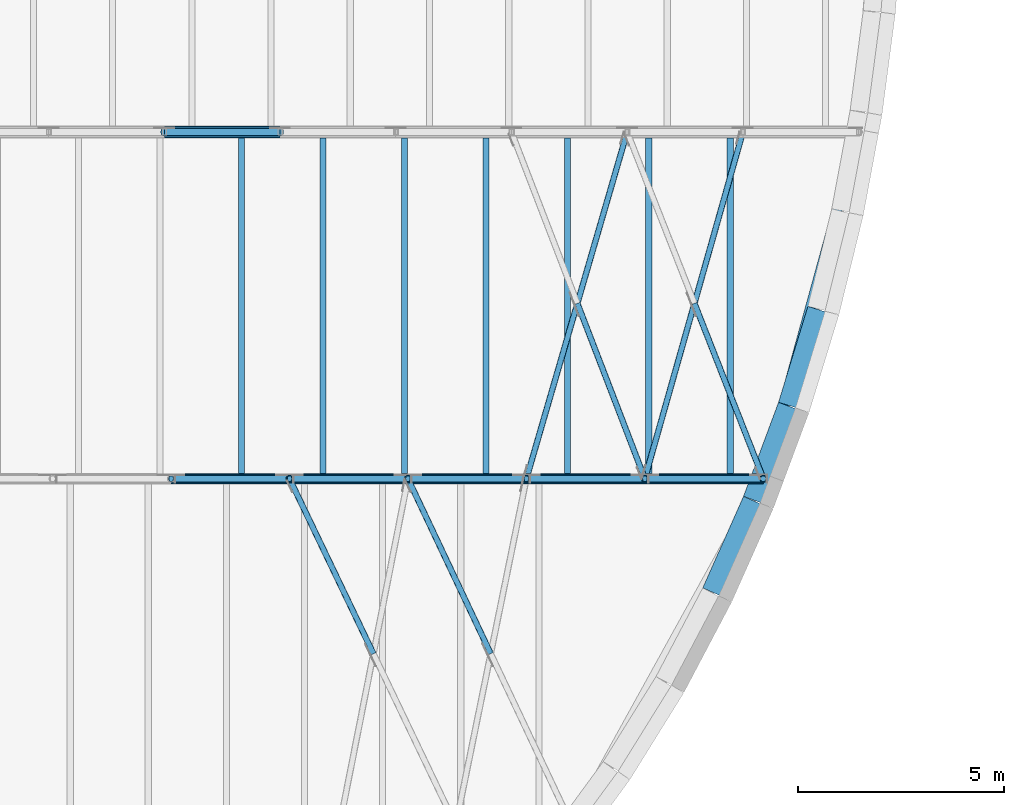
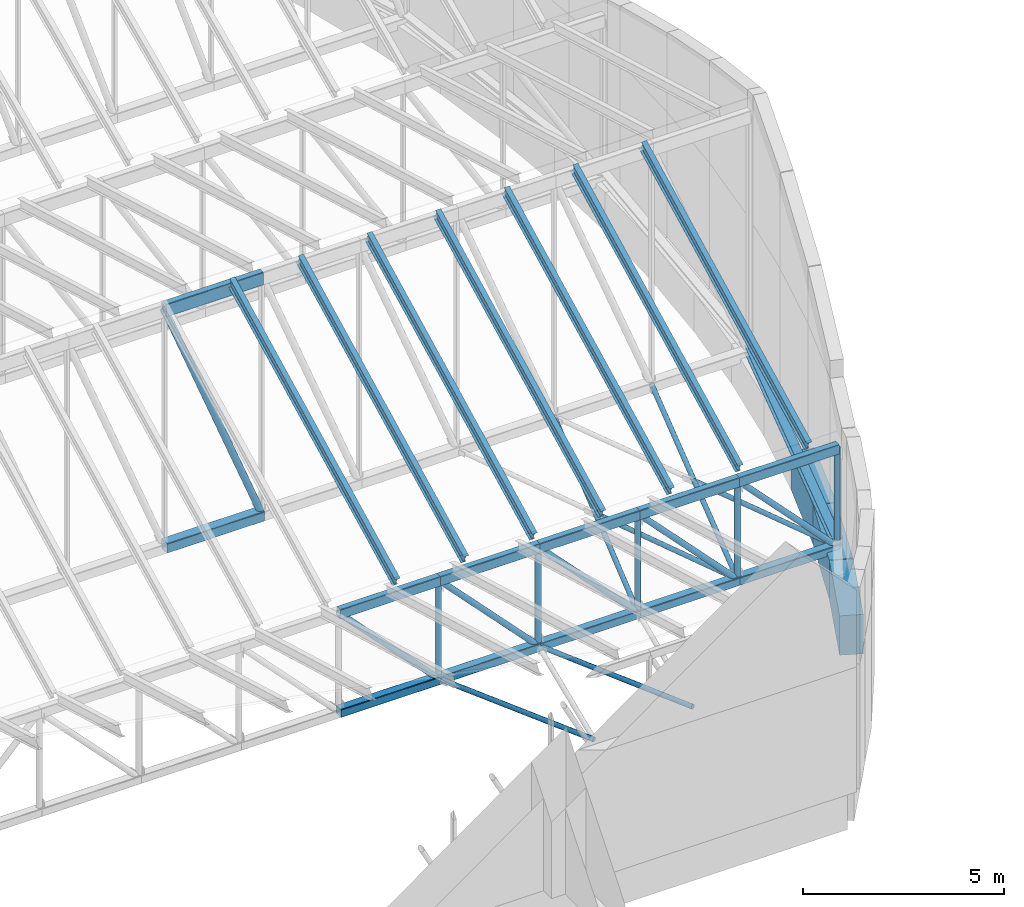
# One storey, part 23 of 68: 24 members, 16 beams.
"""IFC4 building model written with IfcOpenShell, lengths in metres."""

from ifc_helpers import new_model, si_unit, direction, frame, origin, origin_2d, place, context, subcontext, project, spatial, rectangle, hollow_rectangle, hollow_circle, i_section, extrude, material, material_profile, profile_set, type_object, element, save


model = new_model("IFC4")

# Units and contexts
model_context = context("Model", 3, precision=1e-05, world=origin(), true_north=direction((0.0, 1.0)))
body_context = subcontext(model_context, "Body", "Model", "MODEL_VIEW")
ifc_project = project(units=[si_unit("LENGTHUNIT", "METRE"), si_unit("AREAUNIT", "SQUARE_METRE"), si_unit("VOLUMEUNIT", "CUBIC_METRE"), si_unit("PLANEANGLEUNIT", "RADIAN"), si_unit("MASSUNIT", "GRAM", prefix="KILO")], contexts=[model_context])

# Site, building, storey
site_placement = place(None, origin())
site = spatial("IfcSite", under=ifc_project, at=site_placement, CompositionType="ELEMENT")
building_placement = place(site_placement, origin())
building = spatial("IfcBuilding", under=site, at=building_placement, Name="Larchfold Concert Hall", CompositionType="ELEMENT")
storey_placement = place(building_placement, frame((0.0, 0.0, 28.800048828125)))
storey = spatial("IfcBuildingStorey", under=building, at=storey_placement, Name="L06", CompositionType="ELEMENT", Elevation=28.800048828125)

# Beams
ifc_material_1 = material(Name="Concrete C40/50", Category="concrete")
ifc_material_profile_1 = material_profile(ifc_material_1, rectangle(XDim=0.60009765625, YDim=1.199951171875, at=origin_2d()))
ifc_profile_set_1 = profile_set([ifc_material_profile_1], Name="Concrete C40/50")
beam_type_1 = type_object("IfcBeamType", Name="Beam RC 600x1200", PredefinedType="BEAM", material=ifc_profile_set_1)
beam_1_placement = place(storey_placement, frame((62.932373046875, 65.630859375, -0.60009765625), z_axis=(0.406688504918, 0.913566888612, 0.0), x_axis=(-0.913566888612, 0.406688504918, 0.0)))
element("IfcBeam", 1, at=beam_1_placement, inside=storey, type_object=beam_type_1, Name="Beam RB54", PredefinedType="BEAM", context=body_context, shape_type="SweptSolid", body=[
    extrude(rectangle(XDim=0.60009765625, YDim=1.199951171875, at=origin_2d()), origin(), (0.0, 0.0, 1.0), 2.429443359375),
])
beam_2_placement = place(storey_placement, frame((63.927490234375, 67.86767578125, -0.60009765625), z_axis=(0.348821933881, 0.937189019592, 0.0), x_axis=(-0.937189019592, 0.348821933881, 0.0)))
element("IfcBeam", 2, at=beam_2_placement, inside=storey, type_object=beam_type_1, Name="Beam RB55", PredefinedType="BEAM", context=body_context, shape_type="SweptSolid", body=[
    extrude(rectangle(XDim=0.60009765625, YDim=1.199951171875, at=origin_2d()), origin(), (0.0, 0.0, 1.0), 2.4306640625),
])
beam_3_placement = place(storey_placement, frame((64.78125, 70.16259765625, -0.60009765625), z_axis=(0.292511903907, 0.956261881533, 0.0), x_axis=(-0.956261881533, 0.292511903907, 0.0)))
element("IfcBeam", 3, at=beam_3_placement, inside=storey, type_object=beam_type_1, Name="Beam RB56", PredefinedType="BEAM", context=body_context, shape_type="SweptSolid", body=[
    extrude(rectangle(XDim=0.60009765625, YDim=1.199951171875, at=origin_2d()), origin(), (0.0, 0.0, 1.0), 2.431396484375),
])

# Members
ifc_material_2 = material(Name="Steel S355J2H", Category="steel")
ifc_material_profile_2 = material_profile(ifc_material_2, hollow_circle(Radius=0.06982421875, WallThickness=0.00634765625, at=origin_2d()))
ifc_profile_set_2 = profile_set([ifc_material_profile_2], Name="Steel S355J2H")
member_type_1 = type_object("IfcMemberType", Name="Bracing CHS 139.7x6.3", PredefinedType="BRACE", material=ifc_profile_set_2)
member_1_placement = place(storey_placement, frame((57.5205078125, 64.158935546875, 0.0), z_axis=(-0.427432981442, 0.904047037701, 0.0), x_axis=(-0.904047037701, -0.427432981442, 0.0)))
element("IfcMember", 4, at=member_1_placement, inside=storey, type_object=member_type_1, Name="Member FB009", PredefinedType="BRACE", context=body_context, shape_type="SweptSolid", body=[
    extrude(hollow_circle(Radius=0.06982421875, WallThickness=0.00634765625, at=origin_2d()), origin(), (0.0, 0.0, 1.0), 4.691162109375),
])
member_2_placement = place(storey_placement, frame((54.678466796875, 64.158935546875, 0.0), z_axis=(-0.432263539696, 0.901747321731, 0.0), x_axis=(-0.901747321731, -0.432263539696, 0.0)))
element("IfcMember", 5, at=member_2_placement, inside=storey, type_object=member_type_1, Name="Member FB012", PredefinedType="BRACE", context=body_context, shape_type="SweptSolid", body=[
    extrude(hollow_circle(Radius=0.06982421875, WallThickness=0.00634765625, at=origin_2d()), origin(), (0.0, 0.0, 1.0), 4.703125),
])
member_3_placement = place(storey_placement, frame((61.255615234375, 68.39990234375, 0.0), z_axis=(0.272171503339, 0.962248758259, 0.0), x_axis=(-0.962248758259, 0.272171503339, 0.0)))
element("IfcMember", 6, at=member_3_placement, inside=storey, type_object=member_type_1, Name="Member FB019", PredefinedType="BRACE", context=body_context, shape_type="SweptSolid", body=[
    extrude(hollow_circle(Radius=0.06982421875, WallThickness=0.00634765625, at=origin_2d()), origin(), (0.0, 0.0, 1.0), 8.729736328125),
])
member_4_placement = place(storey_placement, frame((64.125732421875, 68.39990234375, 0.0), z_axis=(-0.365471989609, 0.930822337942, 0.0), x_axis=(-0.930822337942, -0.365471989609, 0.0)))
element("IfcMember", 7, at=member_4_placement, inside=storey, type_object=member_type_1, Name="Member FB020", PredefinedType="BRACE", context=body_context, shape_type="SweptSolid", body=[
    extrude(hollow_circle(Radius=0.06982421875, WallThickness=0.00634765625, at=origin_2d()), origin(), (0.0, 0.0, 1.0), 4.564453125),
])
member_5_placement = place(storey_placement, frame((58.385498046875, 68.39990234375, 0.0), z_axis=(0.279141465259, 0.96024998952, 0.0), x_axis=(-0.96024998952, 0.279141465259, 0.0)))
element("IfcMember", 8, at=member_5_placement, inside=storey, type_object=member_type_1, Name="Member FB022", PredefinedType="BRACE", context=body_context, shape_type="SweptSolid", body=[
    extrude(hollow_circle(Radius=0.06982421875, WallThickness=0.00634765625, at=origin_2d()), origin(), (0.0, 0.0, 1.0), 8.747802734375),
])
member_6_placement = place(storey_placement, frame((61.255615234375, 68.39990234375, 0.0), z_axis=(-0.359144379531, 0.93328201239, 0.0), x_axis=(-0.93328201239, -0.359144379531, 0.0)))
element("IfcMember", 9, at=member_6_placement, inside=storey, type_object=member_type_1, Name="Member FB023", PredefinedType="BRACE", context=body_context, shape_type="SweptSolid", body=[
    extrude(hollow_circle(Radius=0.06982421875, WallThickness=0.00634765625, at=origin_2d()), origin(), (0.0, 0.0, 1.0), 4.552490234375),
])
ifc_material_3 = material(Name="Steel S355", Category="steel")
ifc_material_profile_3 = material_profile(ifc_material_3, i_section(OverallWidth=0.14990234375, OverallDepth=0.300048828125, WebThickness=0.007080078125, FlangeThickness=0.0107421875, FilletRadius=0.014892578125, at=origin_2d()))
ifc_profile_set_3 = profile_set([ifc_material_profile_3], Name="Steel S355")
member_type_2 = type_object("IfcMemberType", Name="Rafter IPE 300", PredefinedType="RAFTER", material=ifc_profile_set_3)
for number, where, z_axis, x_axis, name in (
    (10, (51.482421875, 68.47998046875, 3.291748046875), (0.0, 0.892286189567, 0.451470215971), (-1.0, 0.0, 0.0), "Member RF0034"),
    (11, (53.456298828125, 68.47998046875, 3.291748046875), (0.0, 0.892286189567, 0.451470215971), (-1.0, 0.0, 0.0), "Member RF0035"),
    (12, (55.43017578125, 68.47998046875, 3.291748046875), (0.0, 0.892286189567, 0.451470215971), (-1.0, 0.0, 0.0), "Member RF0036"),
    (13, (57.404052734375, 68.47998046875, 3.291748046875), (0.0, 0.892286189567, 0.451470215971), (-1.0, 0.0, 0.0), "Member RF0037"),
    (14, (59.3779296875, 68.47998046875, 3.291748046875), (0.0, 0.892286189567, 0.451470215971), (-1.0, 0.0, 0.0), "Member RF0038"),
    (15, (61.351806640625, 68.47998046875, 3.291748046875), (0.0, 0.892286189567, 0.451470215971), (-1.0, 0.0, 0.0), "Member RF0039"),
    (16, (63.32568359375, 68.47998046875, 3.291748046875), (0.0, 0.892286189567, 0.451470215971), (-1.0, 0.0, 0.0), "Member RF0040"),
):
    element("IfcMember", number, at=place(storey_placement, frame(where, z_axis=z_axis, x_axis=x_axis)), inside=storey, type_object=member_type_2, Name=name, PredefinedType="RAFTER", context=body_context, shape_type="SweptSolid", body=[
        extrude(i_section(OverallWidth=0.14990234375, OverallDepth=0.300048828125, WebThickness=0.007080078125, FlangeThickness=0.0107421875, FilletRadius=0.014892578125, at=origin_2d()), origin(), (0.0, 0.0, 1.0), 9.234619140625),
    ])

# Beams
ifc_material_4 = material(Name="Steel S355", Category="steel")
ifc_material_profile_4 = material_profile(ifc_material_4, i_section(OverallWidth=0.239990234375, OverallDepth=0.22998046875, WebThickness=0.007568359375, FlangeThickness=0.011962890625, FilletRadius=0.02099609375, at=origin_2d()))
ifc_profile_set_4 = profile_set([ifc_material_profile_4], Name="Steel S355")
beam_type_2 = type_object("IfcBeamType", Name="Steel beam HEA 240", PredefinedType="BEAM", material=ifc_profile_set_4)
beam_4_placement = place(storey_placement, frame((64.125732421875, 68.39990234375, 0.114990234375), z_axis=(0.265158437013, 0.964204855454, 0.0), x_axis=(-0.964204855454, 0.265158437013, 0.0)))
element("IfcBeam", 17, at=beam_4_placement, inside=storey, type_object=beam_type_2, Name="Beam EM12", PredefinedType="BEAM", context=body_context, shape_type="SweptSolid", body=[
    extrude(i_section(OverallWidth=0.239990234375, OverallDepth=0.22998046875, WebThickness=0.007568359375, FlangeThickness=0.011962890625, FilletRadius=0.02099609375, at=origin_2d()), origin(), (0.0, 0.0, 1.0), 8.7119140625),
])
ifc_material_5 = material(Name="Steel S355J2H", Category="steel")
ifc_material_profile_5 = material_profile(ifc_material_5, hollow_rectangle(XDim=0.199951171875, YDim=0.300048828125, WallThickness=0.012451171875, InnerFilletRadius=0.018798828125, OuterFilletRadius=0.03125, at=origin_2d()))
ifc_profile_set_5 = profile_set([ifc_material_profile_5], Name="Steel S355J2H")
beam_type_3 = type_object("IfcBeamType", Name="Truss chord RHS 300x200x12.5", PredefinedType="BEAM", material=ifc_profile_set_5)
beam_5_placement = place(storey_placement, frame((49.775390625, 68.39990234375, 3.0), z_axis=(1.0, 0.0, 0.0), x_axis=(0.0, 1.0, 0.0)))
element("IfcBeam", 18, at=beam_5_placement, inside=storey, type_object=beam_type_3, Name="Beam FT2T11", PredefinedType="BEAM", context=body_context, shape_type="SweptSolid", body=[
    extrude(hollow_rectangle(XDim=0.199951171875, YDim=0.300048828125, WallThickness=0.012451171875, InnerFilletRadius=0.018798828125, OuterFilletRadius=0.03125, at=origin_2d()), origin(), (0.0, 0.0, 1.0), 2.8701171875),
])
beam_6_placement = place(storey_placement, frame((52.6455078125, 68.39990234375, 3.0), z_axis=(1.0, 0.0, 0.0), x_axis=(0.0, 1.0, 0.0)))
element("IfcBeam", 19, at=beam_6_placement, inside=storey, type_object=beam_type_3, Name="Beam FT2T12", PredefinedType="BEAM", context=body_context, shape_type="SweptSolid", body=[
    extrude(hollow_rectangle(XDim=0.199951171875, YDim=0.300048828125, WallThickness=0.012451171875, InnerFilletRadius=0.018798828125, OuterFilletRadius=0.03125, at=origin_2d()), origin(), (0.0, 0.0, 1.0), 2.869873046875),
])
for number, where, z_axis, x_axis, name in (
    (20, (55.515380859375, 68.39990234375, 3.0), (1.0, 0.0, 0.0), (0.0, 1.0, 0.0), "Beam FT2T13"),
    (21, (58.385498046875, 68.39990234375, 3.0), (1.0, 0.0, 0.0), (0.0, 1.0, 0.0), "Beam FT2T14"),
    (22, (61.255615234375, 68.39990234375, 3.0), (1.0, 0.0, 0.0), (0.0, 1.0, 0.0), "Beam FT2T15"),
):
    element("IfcBeam", number, at=place(storey_placement, frame(where, z_axis=z_axis, x_axis=x_axis)), inside=storey, type_object=beam_type_3, Name=name, PredefinedType="BEAM", context=body_context, shape_type="SweptSolid", body=[
        extrude(hollow_rectangle(XDim=0.199951171875, YDim=0.300048828125, WallThickness=0.012451171875, InnerFilletRadius=0.018798828125, OuterFilletRadius=0.03125, at=origin_2d()), origin(), (0.0, 0.0, 1.0), 2.8701171875),
    ])
ifc_material_6 = material(Name="Steel S355J2H", Category="steel")
ifc_material_profile_6 = material_profile(ifc_material_6, hollow_rectangle(XDim=0.199951171875, YDim=0.39990234375, WallThickness=0.012451171875, InnerFilletRadius=0.018798828125, OuterFilletRadius=0.03125, at=origin_2d()))
ifc_profile_set_6 = profile_set([ifc_material_profile_6], Name="Steel S355J2H")
beam_type_4 = type_object("IfcBeamType", Name="Truss chord RHS 400x200x12.5", PredefinedType="BEAM", material=ifc_profile_set_6)
beam_7_placement = place(storey_placement, frame((49.610595703125, 76.800048828125, 7.199951171875), z_axis=(1.0, 0.0, 0.0), x_axis=(0.0, 1.0, 0.0)))
element("IfcBeam", 23, at=beam_7_placement, inside=storey, type_object=beam_type_4, Name="Beam FT3T12", PredefinedType="BEAM", context=body_context, shape_type="SweptSolid", body=[
    extrude(hollow_rectangle(XDim=0.199951171875, YDim=0.39990234375, WallThickness=0.012451171875, InnerFilletRadius=0.018798828125, OuterFilletRadius=0.03125, at=origin_2d()), origin(), (0.0, 0.0, 1.0), 2.80419921875),
])

# Members
ifc_material_7 = material(Name="Steel S355J2H", Category="steel")
ifc_material_profile_7 = material_profile(ifc_material_7, hollow_circle(Radius=0.084228515625, WallThickness=0.008056640625, at=origin_2d()))
ifc_profile_set_7 = profile_set([ifc_material_profile_7], Name="Steel S355J2H")
member_type_3 = type_object("IfcMemberType", Name="Truss post CHS 168.3x8", PredefinedType="POST", material=ifc_profile_set_7)
for number, where, z_axis, x_axis, name in (
    (24, (52.6455078125, 68.39990234375, 3.0), (0.0, 0.0, -1.0), (1.0, 0.0, 0.0), "Member FT2V12"),
    (25, (55.515380859375, 68.39990234375, 3.0), (0.0, 0.0, -1.0), (1.0, 0.0, 0.0), "Member FT2V13"),
    (26, (58.385498046875, 68.39990234375, 3.0), (0.0, 0.0, -1.0), (1.0, 0.0, 0.0), "Member FT2V14"),
    (27, (61.255615234375, 68.39990234375, 3.0), (0.0, 0.0, -1.0), (1.0, 0.0, 0.0), "Member FT2V15"),
    (28, (64.125732421875, 68.39990234375, 3.0), (0.0, 0.0, -1.0), (1.0, 0.0, 0.0), "Member FT2V16"),
):
    element("IfcMember", number, at=place(storey_placement, frame(where, z_axis=z_axis, x_axis=x_axis)), inside=storey, type_object=member_type_3, Name=name, PredefinedType="POST", context=body_context, shape_type="SweptSolid", body=[
        extrude(hollow_circle(Radius=0.084228515625, WallThickness=0.008056640625, at=origin_2d()), origin(), (0.0, 0.0, 1.0), 3.0),
    ])

# Beams
ifc_material_8 = material(Name="Steel S355J2H", Category="steel")
ifc_material_profile_8 = material_profile(ifc_material_8, hollow_rectangle(XDim=0.25, YDim=0.25, WallThickness=0.012451171875, InnerFilletRadius=0.018798828125, OuterFilletRadius=0.03125, at=origin_2d()))
ifc_profile_set_8 = profile_set([ifc_material_profile_8], Name="Steel S355J2H")
beam_type_5 = type_object("IfcBeamType", Name="Truss tie SHS 250x250x12.5", PredefinedType="BEAM", material=ifc_profile_set_8)
beam_8_placement = place(storey_placement, frame((49.775390625, 68.39990234375, 0.0), z_axis=(1.0, 0.0, 0.0), x_axis=(0.0, 1.0, 0.0)))
element("IfcBeam", 29, at=beam_8_placement, inside=storey, type_object=beam_type_5, Name="Beam FT2B11", PredefinedType="BEAM", context=body_context, shape_type="SweptSolid", body=[
    extrude(hollow_rectangle(XDim=0.25, YDim=0.25, WallThickness=0.012451171875, InnerFilletRadius=0.018798828125, OuterFilletRadius=0.03125, at=origin_2d()), origin(), (0.0, 0.0, 1.0), 2.8701171875),
])
beam_9_placement = place(storey_placement, frame((52.6455078125, 68.39990234375, 0.0), z_axis=(1.0, 0.0, 0.0), x_axis=(0.0, 1.0, 0.0)))
element("IfcBeam", 30, at=beam_9_placement, inside=storey, type_object=beam_type_5, Name="Beam FT2B12", PredefinedType="BEAM", context=body_context, shape_type="SweptSolid", body=[
    extrude(hollow_rectangle(XDim=0.25, YDim=0.25, WallThickness=0.012451171875, InnerFilletRadius=0.018798828125, OuterFilletRadius=0.03125, at=origin_2d()), origin(), (0.0, 0.0, 1.0), 2.869873046875),
])
for number, where, z_axis, x_axis, name in (
    (31, (55.515380859375, 68.39990234375, 0.0), (1.0, 0.0, 0.0), (0.0, 1.0, 0.0), "Beam FT2B13"),
    (32, (58.385498046875, 68.39990234375, 0.0), (1.0, 0.0, 0.0), (0.0, 1.0, 0.0), "Beam FT2B14"),
    (33, (61.255615234375, 68.39990234375, 0.0), (1.0, 0.0, 0.0), (0.0, 1.0, 0.0), "Beam FT2B15"),
):
    element("IfcBeam", number, at=place(storey_placement, frame(where, z_axis=z_axis, x_axis=x_axis)), inside=storey, type_object=beam_type_5, Name=name, PredefinedType="BEAM", context=body_context, shape_type="SweptSolid", body=[
        extrude(hollow_rectangle(XDim=0.25, YDim=0.25, WallThickness=0.012451171875, InnerFilletRadius=0.018798828125, OuterFilletRadius=0.03125, at=origin_2d()), origin(), (0.0, 0.0, 1.0), 2.8701171875),
    ])
ifc_material_9 = material(Name="Steel S355J2H", Category="steel")
ifc_material_profile_9 = material_profile(ifc_material_9, hollow_rectangle(XDim=0.300048828125, YDim=0.300048828125, WallThickness=0.012451171875, InnerFilletRadius=0.018798828125, OuterFilletRadius=0.03125, at=origin_2d()))
ifc_profile_set_9 = profile_set([ifc_material_profile_9], Name="Steel S355J2H")
beam_type_6 = type_object("IfcBeamType", Name="Truss tie SHS 300x300x12.5", PredefinedType="BEAM", material=ifc_profile_set_9)
beam_10_placement = place(storey_placement, frame((49.610595703125, 76.800048828125, 0.0), z_axis=(1.0, 0.0, 0.0), x_axis=(0.0, 1.0, 0.0)))
element("IfcBeam", 34, at=beam_10_placement, inside=storey, type_object=beam_type_6, Name="Beam FT3B12", PredefinedType="BEAM", context=body_context, shape_type="SweptSolid", body=[
    extrude(hollow_rectangle(XDim=0.300048828125, YDim=0.300048828125, WallThickness=0.012451171875, InnerFilletRadius=0.018798828125, OuterFilletRadius=0.03125, at=origin_2d()), origin(), (0.0, 0.0, 1.0), 2.80419921875),
])

# Members
ifc_material_10 = material(Name="Steel S355J2H", Category="steel")
ifc_material_profile_10 = material_profile(ifc_material_10, hollow_circle(Radius=0.084228515625, WallThickness=0.008056640625, at=origin_2d()))
ifc_profile_set_10 = profile_set([ifc_material_profile_10], Name="Steel S355J2H")
member_type_4 = type_object("IfcMemberType", Name="Truss web CHS 168.3x8", PredefinedType="BRACE", material=ifc_profile_set_10)
member_7_placement = place(storey_placement, frame((49.775390625, 68.39990234375, 3.0), z_axis=(0.691292069031, 0.0, -0.722575446092), x_axis=(0.0, 1.0, 0.0)))
element("IfcMember", 35, at=member_7_placement, inside=storey, type_object=member_type_4, Name="Member FT2D11", PredefinedType="BRACE", context=body_context, shape_type="SweptSolid", body=[
    extrude(hollow_circle(Radius=0.084228515625, WallThickness=0.008056640625, at=origin_2d()), origin(), (0.0, 0.0, 1.0), 4.15185546875),
])
member_8_placement = place(storey_placement, frame((52.6455078125, 68.39990234375, 3.0), z_axis=(0.691261365037, 0.0, -0.72260481953), x_axis=(0.0, 1.0, 0.0)))
element("IfcMember", 36, at=member_8_placement, inside=storey, type_object=member_type_4, Name="Member FT2D12", PredefinedType="BRACE", context=body_context, shape_type="SweptSolid", body=[
    extrude(hollow_circle(Radius=0.084228515625, WallThickness=0.008056640625, at=origin_2d()), origin(), (0.0, 0.0, 1.0), 4.151611328125),
])
for number, where, z_axis, x_axis, name in (
    (37, (55.515380859375, 68.39990234375, 3.0), (0.691292069031, 0.0, -0.722575446092), (0.0, 1.0, 0.0), "Member FT2D13"),
    (38, (58.385498046875, 68.39990234375, 3.0), (0.691292069031, 0.0, -0.722575446092), (0.0, 1.0, 0.0), "Member FT2D14"),
    (39, (61.255615234375, 68.39990234375, 3.0), (0.691292069031, 0.0, -0.722575446092), (0.0, 1.0, 0.0), "Member FT2D15"),
):
    element("IfcMember", number, at=place(storey_placement, frame(where, z_axis=z_axis, x_axis=x_axis)), inside=storey, type_object=member_type_4, Name=name, PredefinedType="BRACE", context=body_context, shape_type="SweptSolid", body=[
        extrude(hollow_circle(Radius=0.084228515625, WallThickness=0.008056640625, at=origin_2d()), origin(), (0.0, 0.0, 1.0), 4.15185546875),
    ])
ifc_material_11 = material(Name="Steel S355J2H", Category="steel")
ifc_material_profile_11 = material_profile(ifc_material_11, hollow_circle(Radius=0.096923828125, WallThickness=0.008056640625, at=origin_2d()))
ifc_profile_set_11 = profile_set([ifc_material_profile_11], Name="Steel S355J2H")
member_type_5 = type_object("IfcMemberType", Name="Truss web CHS 193.7x8", PredefinedType="BRACE", material=ifc_profile_set_11)
member_9_placement = place(storey_placement, frame((49.610595703125, 76.800048828125, 7.199951171875), z_axis=(0.362920419815, 0.0, -0.931820137624), x_axis=(0.0, 1.0, 0.0)))
element("IfcMember", 40, at=member_9_placement, inside=storey, type_object=member_type_5, Name="Member FT3D12", PredefinedType="BRACE", context=body_context, shape_type="SweptSolid", body=[
    extrude(hollow_circle(Radius=0.096923828125, WallThickness=0.008056640625, at=origin_2d()), origin(), (0.0, 0.0, 1.0), 7.726806640625),
])

save(model, "model.ifc")
